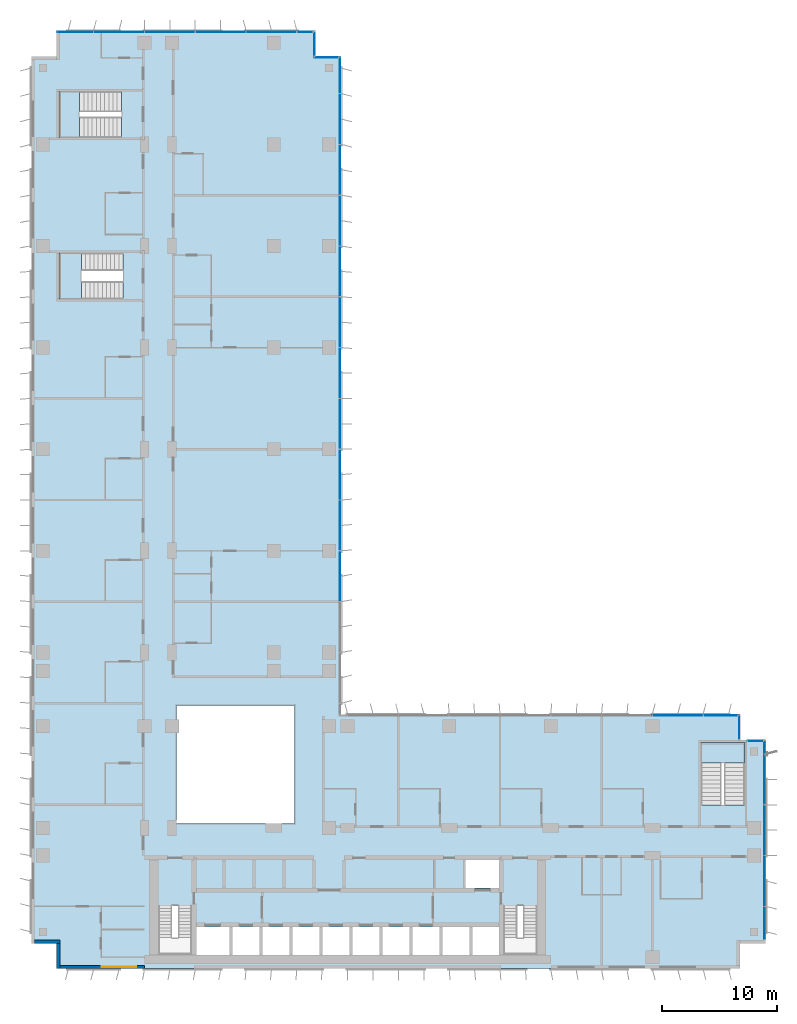
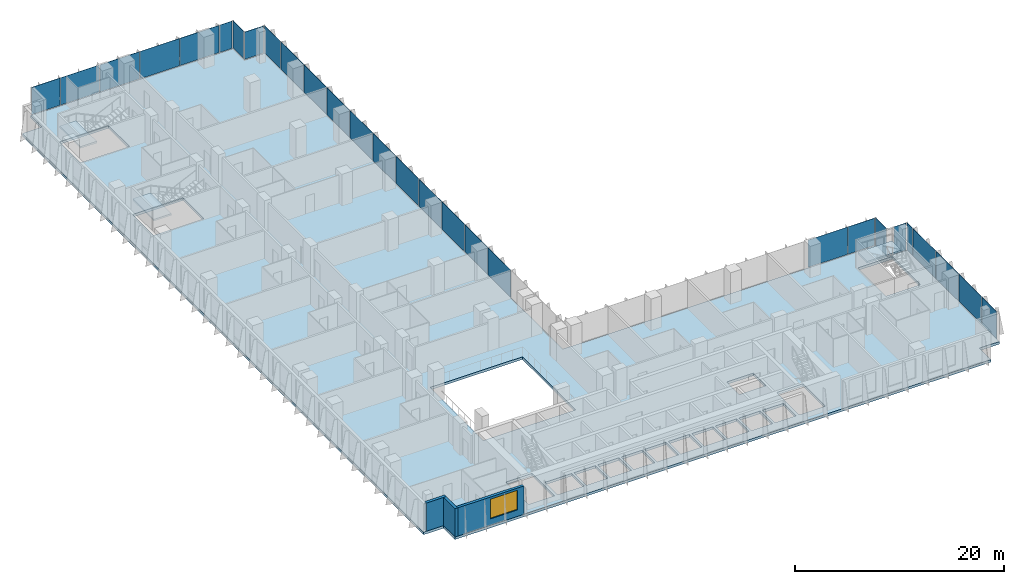
# One storey, part 11 of 22: 28 plates, 4 slabs, 3 walls, 1 window, 1 opening, 11 elements without a shape of their own.
"""IFC4 building model written with IfcOpenShell, lengths in metres."""

from ifc_helpers import new_model, si_unit, direction, frame, frame_2d, origin, origin_2d, place, context, subcontext, project, spatial, polyline, rectangle, outline, extrude, source, transform, mapped, material, layer, layer_set, type_object, element, fill, aggregate, save


model = new_model("IFC4")

# Units and contexts
model_context = context("Model", 3, precision=1e-05, world=origin(), true_north=direction((0.0, 1.0)))
body_context = subcontext(model_context, "Body", "Model", "MODEL_VIEW")
ifc_project = project(units=[si_unit("LENGTHUNIT", "METRE"), si_unit("AREAUNIT", "SQUARE_METRE"), si_unit("VOLUMEUNIT", "CUBIC_METRE"), si_unit("PLANEANGLEUNIT", "RADIAN"), si_unit("MASSUNIT", "GRAM", prefix="KILO")], contexts=[model_context])

# Site, building, storey
site_placement = place(None, origin())
site = spatial("IfcSite", under=ifc_project, at=site_placement, CompositionType="ELEMENT")
building_placement = place(site_placement, origin())
building = spatial("IfcBuilding", under=site, at=building_placement, Name="Kemantara Hotel Tower", CompositionType="ELEMENT")
storey_placement = place(building_placement, frame((0.0, 0.0, 98.199951171875)))
storey = spatial("IfcBuildingStorey", under=building, at=storey_placement, Name="L23", CompositionType="ELEMENT", Elevation=98.199951171875)

# Slab
ifc_material_1 = material(Name="Concrete fc 40 MPa", Category="concrete")
ifc_layer_1 = layer(ifc_material_1, 0.300048828125)
ifc_layer_set_1 = layer_set([ifc_layer_1], Name="Concrete fc 40 MPa")
slab_type_1 = type_object("IfcSlabType", Name="POST-TENSIONED FLAT PLATE 300", PredefinedType="FLOOR", material=ifc_layer_set_1)
slab_1_placement = place(storey_placement, frame((0.0, 0.0, -0.300048828125)))
element("IfcSlab", 1, at=slab_1_placement, inside=storey, type_object=slab_type_1, Name="FLOOR SLAB L23", PredefinedType="FLOOR", context=body_context, shape_type="SweptSolid", body=[
    extrude(outline(polyline([(26.800048828125, 79.0), (24.60009765625, 79.0), (24.60009765625, 81.199951171875), (2.199951171875, 81.199951171875), (2.199951171875, 79.0), (0.0, 79.0), (0.0, 2.199951171875), (2.199951171875, 2.199951171875), (2.199951171875, 0.0), (61.39990234375, 0.0), (61.39990234375, 2.199951171875), (63.60009765625, 2.199951171875), (63.60009765625, 19.800048828125), (61.39990234375, 19.800048828125), (61.39990234375, 22.0), (26.800048828125, 22.0), (26.800048828125, 79.0)]), holes=[polyline([(17.175048828125, 1.199951171875), (14.22509765625, 1.199951171875), (14.22509765625, 3.60009765625), (17.175048828125, 3.60009765625), (17.175048828125, 1.199951171875)]), polyline([(19.77490234375, 1.199951171875), (17.425048828125, 1.199951171875), (17.425048828125, 3.60009765625), (19.77490234375, 3.60009765625), (19.77490234375, 1.199951171875)]), polyline([(22.375, 1.199951171875), (20.02490234375, 1.199951171875), (20.02490234375, 3.60009765625), (22.375, 3.60009765625), (22.375, 1.199951171875)]), polyline([(24.97509765625, 1.199951171875), (22.625, 1.199951171875), (22.625, 3.60009765625), (24.97509765625, 3.60009765625), (24.97509765625, 1.199951171875)]), polyline([(27.574951171875, 1.199951171875), (25.22509765625, 1.199951171875), (25.22509765625, 3.60009765625), (27.574951171875, 3.60009765625), (27.574951171875, 1.199951171875)]), polyline([(11.0, 1.199951171875), (11.0, 5.49951171875), (13.89990234375, 5.49951171875), (13.89990234375, 1.199951171875), (11.0, 1.199951171875)]), polyline([(22.800048828125, 12.60009765625), (12.60009765625, 12.60009765625), (12.60009765625, 22.800048828125), (22.800048828125, 22.800048828125), (22.800048828125, 12.60009765625)]), polyline([(2.39990234375, 62.0), (7.949462890625, 62.0), (7.949462890625, 58.0), (2.39990234375, 58.0), (2.39990234375, 62.0)]), polyline([(2.39990234375, 76.0), (7.79931640625, 76.0), (7.79931640625, 72.0), (2.39990234375, 72.0), (2.39990234375, 76.0)]), polyline([(30.175048828125, 1.199951171875), (27.824951171875, 1.199951171875), (27.824951171875, 3.60009765625), (30.175048828125, 3.60009765625), (30.175048828125, 1.199951171875)]), polyline([(32.77490234375, 1.199951171875), (30.425048828125, 1.199951171875), (30.425048828125, 3.60009765625), (32.77490234375, 3.60009765625), (32.77490234375, 1.199951171875)]), polyline([(35.375, 1.199951171875), (33.02490234375, 1.199951171875), (33.02490234375, 3.60009765625), (35.375, 3.60009765625), (35.375, 1.199951171875)]), polyline([(37.97509765625, 1.199951171875), (35.625, 1.199951171875), (35.625, 3.60009765625), (37.97509765625, 3.60009765625), (37.97509765625, 1.199951171875)]), polyline([(40.574951171875, 1.199951171875), (38.22509765625, 1.199951171875), (38.22509765625, 3.60009765625), (40.574951171875, 3.60009765625), (40.574951171875, 1.199951171875)]), polyline([(40.89990234375, 1.199951171875), (40.89990234375, 5.49951171875), (43.800048828125, 5.49951171875), (43.800048828125, 1.199951171875), (40.89990234375, 1.199951171875)]), polyline([(37.625, 7.0), (37.625, 9.39990234375), (40.574951171875, 9.39990234375), (40.574951171875, 7.0), (37.625, 7.0)]), polyline([(61.800048828125, 14.20068359375), (58.0, 14.20068359375), (58.0, 19.60009765625), (61.800048828125, 19.60009765625), (61.800048828125, 14.20068359375)])]), origin(), (0.0, 0.0, 1.0), 0.300048828125),
])

# Stair, slab
stair_type_1 = type_object("IfcStairType", Name="Stair 1800 wide 22 risers of 168 x 360 mm", PredefinedType="HALF_TURN_STAIR", material=ifc_material_1)
stair_1_placement = place(storey_placement, origin())
stair_1 = element("IfcStair", 2, at=stair_1_placement, inside=storey, type_object=stair_type_1, Name="L23 Exit stair ST3", PredefinedType="HALF_TURN_STAIR")
ifc_layer_2 = layer(ifc_material_1, 0.199951171875)
ifc_layer_set_2 = layer_set([ifc_layer_2], Name="Concrete fc 40 MPa")
slab_type_2 = type_object("IfcSlabType", Name="Stair landing 200 mm", PredefinedType="LANDING", material=ifc_layer_set_2)
slab_2_placement = place(storey_placement, frame((0.0, 0.0, 1.650146484375)))
slab_2 = element("IfcSlab", 3, at=slab_2_placement, type_object=slab_type_2, Name="ST3 landing 1", PredefinedType="LANDING", context=body_context, shape_type="SweptSolid", body=[
    extrude(outline(polyline([(61.800048828125, 17.800048828125), (61.800048828125, 19.60009765625), (58.0, 19.60009765625), (58.0, 17.800048828125), (61.800048828125, 17.800048828125)])), origin(), (0.0, 0.0, 1.0), 0.199951171875),
])
aggregate(stair_1, [slab_2])

stair_type_2 = type_object("IfcStairType", Name="Stair 1550 wide 22 risers of 168 x 360 mm", PredefinedType="HALF_TURN_STAIR", material=ifc_material_1)
stair_2_placement = place(storey_placement, origin())
stair_2 = element("IfcStair", 4, at=stair_2_placement, inside=storey, type_object=stair_type_2, Name="L23 Exit stair ST4", PredefinedType="HALF_TURN_STAIR")
slab_3_placement = place(storey_placement, frame((0.0, 0.0, 1.650146484375)))
slab_3 = element("IfcSlab", 5, at=slab_3_placement, type_object=slab_type_2, Name="ST4 landing 1", PredefinedType="LANDING", context=body_context, shape_type="SweptSolid", body=[
    extrude(outline(polyline([(4.35009765625, 62.0), (2.39990234375, 62.0), (2.39990234375, 58.0), (4.35009765625, 58.0), (4.35009765625, 62.0)])), origin(), (0.0, 0.0, 1.0), 0.199951171875),
])
aggregate(stair_2, [slab_3])

stair_3_placement = place(storey_placement, origin())
stair_3 = element("IfcStair", 6, at=stair_3_placement, inside=storey, type_object=stair_type_1, Name="L23 Exit stair ST6", PredefinedType="HALF_TURN_STAIR")
slab_4_placement = place(storey_placement, frame((0.0, 0.0, 1.650146484375)))
slab_4 = element("IfcSlab", 7, at=slab_4_placement, type_object=slab_type_2, Name="ST6 landing 1", PredefinedType="LANDING", context=body_context, shape_type="SweptSolid", body=[
    extrude(outline(polyline([(4.199951171875, 76.0), (2.39990234375, 76.0), (2.39990234375, 72.0), (4.199951171875, 72.0), (4.199951171875, 76.0)])), origin(), (0.0, 0.0, 1.0), 0.199951171875),
])
aggregate(stair_3, [slab_4])

# Curtain wall, plates
ifc_material_2 = material(Name="Low-E tinted double insulated glass 36 mm", Category="glass")
curtain_wall_type = type_object("IfcCurtainWallType", Name="TOWER CURTAIN WALL, FRONT FACES", PredefinedType="USERDEFINED", material=ifc_material_2)
curtain_wall_1_placement = place(storey_placement, origin())
curtain_wall_1 = element("IfcCurtainWall", 8, at=curtain_wall_1_placement, inside=storey, type_object=curtain_wall_type, Name="CW4 L23 T2-R01-1", ObjectType="TOWER CURTAIN WALL, FRONT FACES", PredefinedType="USERDEFINED")
ifc_layer_3 = layer(ifc_material_2, 0.035888671875)
ifc_layer_set_3 = layer_set([ifc_layer_3], Name="Low-E tinted double insulated glass 36 mm")
plate_type = type_object("IfcPlateType", Name="TOWER CURTAIN WALL, FRONT FACES PANEL", PredefinedType="CURTAIN_PANEL", material=ifc_layer_set_3)
shared_shape_1 = source(origin(), body_context, "Body", "SweptSolid", [
    extrude(rectangle(XDim=1.360107421875, YDim=0.035888671875, at=origin_2d()), origin(), (0.0, 0.0, 1.0), 3.179931640625),
])
plate_1_placement = place(storey_placement, frame((23.7099609375, 81.125, 0.1201171875), z_axis=(0.0, 0.0, 1.0), x_axis=(-1.0, 0.0, 0.0)))
plate_1 = element("IfcPlate", 9, at=plate_1_placement, type_object=plate_type, Name="CW4 glass panel T2-R01-1.1", PredefinedType="CURTAIN_PANEL", context=body_context, shape_type="MappedRepresentation", body=[
    mapped(shared_shape_1, transform((0.0, 0.0, 0.0))),
])
shared_shape_2 = source(origin(), body_context, "Body", "SweptSolid", [
    extrude(rectangle(XDim=4.340087890625, YDim=0.035888671875, at=origin_2d()), origin(), (0.0, 0.0, 1.0), 3.179931640625),
])
plate_2_placement = place(storey_placement, frame((20.800048828125, 81.125, 0.1201171875), z_axis=(0.0, 0.0, 1.0), x_axis=(-1.0, 0.0, 0.0)))
plate_2 = element("IfcPlate", 10, at=plate_2_placement, type_object=plate_type, Name="CW4 glass panel T2-R01-1.2", PredefinedType="CURTAIN_PANEL", context=body_context, shape_type="MappedRepresentation", body=[
    mapped(shared_shape_2, transform((0.0, 0.0, 0.0))),
])
plate_3_placement = place(storey_placement, frame((16.39990234375, 81.125, 0.1201171875), z_axis=(0.0, 0.0, 1.0), x_axis=(-1.0, 0.0, 0.0)))
plate_3 = element("IfcPlate", 11, at=plate_3_placement, type_object=plate_type, Name="CW4 glass panel T2-R01-1.3", PredefinedType="CURTAIN_PANEL", context=body_context, shape_type="MappedRepresentation", body=[
    mapped(shared_shape_2, transform((0.0, 0.0, 0.0))),
])
plate_4_placement = place(storey_placement, frame((12.0, 81.125, 0.1201171875), z_axis=(0.0, 0.0, 1.0), x_axis=(-1.0, 0.0, 0.0)))
plate_4 = element("IfcPlate", 12, at=plate_4_placement, type_object=plate_type, Name="CW4 glass panel T2-R01-1.4", PredefinedType="CURTAIN_PANEL", context=body_context, shape_type="MappedRepresentation", body=[
    mapped(shared_shape_2, transform((0.0, 0.0, 0.0))),
])
plate_5_placement = place(storey_placement, frame((7.60009765625, 81.125, 0.1201171875), z_axis=(0.0, 0.0, 1.0), x_axis=(-1.0, 0.0, 0.0)))
plate_5 = element("IfcPlate", 13, at=plate_5_placement, type_object=plate_type, Name="CW4 glass panel T2-R01-1.5", PredefinedType="CURTAIN_PANEL", context=body_context, shape_type="MappedRepresentation", body=[
    mapped(shared_shape_2, transform((0.0, 0.0, 0.0))),
])

curtain_wall_2_placement = place(storey_placement, origin())
curtain_wall_2 = element("IfcCurtainWall", 14, at=curtain_wall_2_placement, inside=storey, type_object=curtain_wall_type, Name="CW4 L23 T2-R10-1", ObjectType="TOWER CURTAIN WALL, FRONT FACES", PredefinedType="USERDEFINED")
plate_6_placement = place(storey_placement, frame((63.52490234375, 7.60009765625, 0.1201171875), z_axis=(0.0, 0.0, 1.0), x_axis=(0.0, 1.0, 0.0)))
plate_6 = element("IfcPlate", 15, at=plate_6_placement, type_object=plate_type, Name="CW4 glass panel T2-R10-1.2", PredefinedType="CURTAIN_PANEL", context=body_context, shape_type="MappedRepresentation", body=[
    mapped(shared_shape_2, transform((0.0, 0.0, 0.0))),
])
plate_7_placement = place(storey_placement, frame((63.52490234375, 12.0, 0.1201171875), z_axis=(0.0, 0.0, 1.0), x_axis=(0.0, 1.0, 0.0)))
plate_7 = element("IfcPlate", 16, at=plate_7_placement, type_object=plate_type, Name="CW4 glass panel T2-R10-1.3", PredefinedType="CURTAIN_PANEL", context=body_context, shape_type="MappedRepresentation", body=[
    mapped(shared_shape_2, transform((0.0, 0.0, 0.0))),
])
plate_8_placement = place(storey_placement, frame((63.52490234375, 16.39990234375, 0.1201171875), z_axis=(0.0, 0.0, 1.0), x_axis=(0.0, 1.0, 0.0)))
plate_8 = element("IfcPlate", 17, at=plate_8_placement, type_object=plate_type, Name="CW4 glass panel T2-R10-1.4", PredefinedType="CURTAIN_PANEL", context=body_context, shape_type="MappedRepresentation", body=[
    mapped(shared_shape_2, transform((0.0, 0.0, 0.0))),
])

# Curtain wall, plate
curtain_wall_3_placement = place(storey_placement, origin())
curtain_wall_3 = element("IfcCurtainWall", 18, at=curtain_wall_3_placement, inside=storey, type_object=curtain_wall_type, Name="CW4 L23 T2-R13-1", ObjectType="TOWER CURTAIN WALL, FRONT FACES", PredefinedType="USERDEFINED")
plate_9_placement = place(storey_placement, frame((56.0, 21.925048828125, 0.1201171875), z_axis=(0.0, 0.0, 1.0), x_axis=(-1.0, 0.0, 0.0)))
plate_9 = element("IfcPlate", 19, at=plate_9_placement, type_object=plate_type, Name="CW4 glass panel T2-R13-1.2", PredefinedType="CURTAIN_PANEL", context=body_context, shape_type="MappedRepresentation", body=[
    mapped(shared_shape_2, transform((0.0, 0.0, 0.0))),
])

# Curtain wall, plates
curtain_wall_4_placement = place(storey_placement, origin())
curtain_wall_4 = element("IfcCurtainWall", 20, at=curtain_wall_4_placement, inside=storey, type_object=curtain_wall_type, Name="CW4 L23 T2-R14-1", ObjectType="TOWER CURTAIN WALL, FRONT FACES", PredefinedType="USERDEFINED")
plate_10_placement = place(storey_placement, frame((26.72509765625, 34.0, 0.1201171875), z_axis=(0.0, 0.0, 1.0), x_axis=(0.0, 1.0, 0.0)))
plate_10 = element("IfcPlate", 21, at=plate_10_placement, type_object=plate_type, Name="CW4 glass panel T2-R14-1.4", PredefinedType="CURTAIN_PANEL", context=body_context, shape_type="MappedRepresentation", body=[
    mapped(shared_shape_2, transform((0.0, 0.0, 0.0))),
])
plate_11_placement = place(storey_placement, frame((26.72509765625, 38.39990234375, 0.1201171875), z_axis=(0.0, 0.0, 1.0), x_axis=(0.0, 1.0, 0.0)))
plate_11 = element("IfcPlate", 22, at=plate_11_placement, type_object=plate_type, Name="CW4 glass panel T2-R14-1.5", PredefinedType="CURTAIN_PANEL", context=body_context, shape_type="MappedRepresentation", body=[
    mapped(shared_shape_2, transform((0.0, 0.0, 0.0))),
])
plate_12_placement = place(storey_placement, frame((26.72509765625, 42.800048828125, 0.1201171875), z_axis=(0.0, 0.0, 1.0), x_axis=(0.0, 1.0, 0.0)))
plate_12 = element("IfcPlate", 23, at=plate_12_placement, type_object=plate_type, Name="CW4 glass panel T2-R14-1.6", PredefinedType="CURTAIN_PANEL", context=body_context, shape_type="MappedRepresentation", body=[
    mapped(shared_shape_2, transform((0.0, 0.0, 0.0))),
])
plate_13_placement = place(storey_placement, frame((26.72509765625, 47.199951171875, 0.1201171875), z_axis=(0.0, 0.0, 1.0), x_axis=(0.0, 1.0, 0.0)))
plate_13 = element("IfcPlate", 24, at=plate_13_placement, type_object=plate_type, Name="CW4 glass panel T2-R14-1.7", PredefinedType="CURTAIN_PANEL", context=body_context, shape_type="MappedRepresentation", body=[
    mapped(shared_shape_2, transform((0.0, 0.0, 0.0))),
])
plate_14_placement = place(storey_placement, frame((26.72509765625, 51.60009765625, 0.1201171875), z_axis=(0.0, 0.0, 1.0), x_axis=(0.0, 1.0, 0.0)))
plate_14 = element("IfcPlate", 25, at=plate_14_placement, type_object=plate_type, Name="CW4 glass panel T2-R14-1.8", PredefinedType="CURTAIN_PANEL", context=body_context, shape_type="MappedRepresentation", body=[
    mapped(shared_shape_2, transform((0.0, 0.0, 0.0))),
])
plate_15_placement = place(storey_placement, frame((26.72509765625, 56.0, 0.1201171875), z_axis=(0.0, 0.0, 1.0), x_axis=(0.0, 1.0, 0.0)))
plate_15 = element("IfcPlate", 26, at=plate_15_placement, type_object=plate_type, Name="CW4 glass panel T2-R14-1.9", PredefinedType="CURTAIN_PANEL", context=body_context, shape_type="MappedRepresentation", body=[
    mapped(shared_shape_2, transform((0.0, 0.0, 0.0))),
])
plate_16_placement = place(storey_placement, frame((26.72509765625, 60.39990234375, 0.1201171875), z_axis=(0.0, 0.0, 1.0), x_axis=(0.0, 1.0, 0.0)))
plate_16 = element("IfcPlate", 27, at=plate_16_placement, type_object=plate_type, Name="CW4 glass panel T2-R14-1.10", PredefinedType="CURTAIN_PANEL", context=body_context, shape_type="MappedRepresentation", body=[
    mapped(shared_shape_2, transform((0.0, 0.0, 0.0))),
])
plate_17_placement = place(storey_placement, frame((26.72509765625, 64.800048828125, 0.1201171875), z_axis=(0.0, 0.0, 1.0), x_axis=(0.0, 1.0, 0.0)))
plate_17 = element("IfcPlate", 28, at=plate_17_placement, type_object=plate_type, Name="CW4 glass panel T2-R14-1.11", PredefinedType="CURTAIN_PANEL", context=body_context, shape_type="MappedRepresentation", body=[
    mapped(shared_shape_2, transform((0.0, 0.0, 0.0))),
])
plate_18_placement = place(storey_placement, frame((26.72509765625, 69.199951171875, 0.1201171875), z_axis=(0.0, 0.0, 1.0), x_axis=(0.0, 1.0, 0.0)))
plate_18 = element("IfcPlate", 29, at=plate_18_placement, type_object=plate_type, Name="CW4 glass panel T2-R14-1.12", PredefinedType="CURTAIN_PANEL", context=body_context, shape_type="MappedRepresentation", body=[
    mapped(shared_shape_2, transform((0.0, 0.0, 0.0))),
])
plate_19_placement = place(storey_placement, frame((26.72509765625, 73.60009765625, 0.1201171875), z_axis=(0.0, 0.0, 1.0), x_axis=(0.0, 1.0, 0.0)))
plate_19 = element("IfcPlate", 30, at=plate_19_placement, type_object=plate_type, Name="CW4 glass panel T2-R14-1.13", PredefinedType="CURTAIN_PANEL", context=body_context, shape_type="MappedRepresentation", body=[
    mapped(shared_shape_2, transform((0.0, 0.0, 0.0))),
])

# Plate
shared_shape_3 = source(origin(), body_context, "Body", "SweptSolid", [
    extrude(rectangle(XDim=3.110107421875, YDim=0.035888671875, at=origin_2d()), origin(), (0.0, 0.0, 1.0), 3.179931640625),
])
plate_20_placement = place(storey_placement, frame((3.81494140625, 81.125, 0.1201171875), z_axis=(0.0, 0.0, 1.0), x_axis=(-1.0, 0.0, 0.0)))
plate_20 = element("IfcPlate", 31, at=plate_20_placement, type_object=plate_type, Name="CW4 glass panel T2-R01-1.6", PredefinedType="CURTAIN_PANEL", context=body_context, shape_type="MappedRepresentation", body=[
    mapped(shared_shape_3, transform((0.0, 0.0, 0.0))),
])

aggregate(curtain_wall_1, [plate_1, plate_2, plate_3, plate_4, plate_5, plate_20])

plate_21_placement = place(storey_placement, frame((26.72509765625, 77.385009765625, 0.1201171875), z_axis=(0.0, 0.0, 1.0), x_axis=(0.0, 1.0, 0.0)))
plate_21 = element("IfcPlate", 32, at=plate_21_placement, type_object=plate_type, Name="CW4 glass panel T2-R14-1.14", PredefinedType="CURTAIN_PANEL", context=body_context, shape_type="MappedRepresentation", body=[
    mapped(shared_shape_3, transform((0.0, 0.0, 0.0))),
])

aggregate(curtain_wall_4, [plate_10, plate_11, plate_12, plate_13, plate_14, plate_15, plate_16, plate_17, plate_18, plate_19, plate_21])

shared_shape_4 = source(origin(), body_context, "Body", "SweptSolid", [
    extrude(rectangle(XDim=2.81005859375, YDim=0.035888671875, at=origin_2d()), origin(), (0.0, 0.0, 1.0), 3.179931640625),
])
plate_22_placement = place(storey_placement, frame((63.52490234375, 3.965087890625, 0.1201171875), z_axis=(0.0, 0.0, 1.0), x_axis=(0.0, 1.0, 0.0)))
plate_22 = element("IfcPlate", 33, at=plate_22_placement, type_object=plate_type, Name="CW4 glass panel T2-R10-1.1", PredefinedType="CURTAIN_PANEL", context=body_context, shape_type="MappedRepresentation", body=[
    mapped(shared_shape_4, transform((0.0, 0.0, 0.0))),
])

shared_shape_5 = source(origin(), body_context, "Body", "SweptSolid", [
    extrude(rectangle(XDim=1.110107421875, YDim=0.035888671875, at=origin_2d()), origin(), (0.0, 0.0, 1.0), 3.179931640625),
])
plate_23_placement = place(storey_placement, frame((63.52490234375, 19.18505859375, 0.1201171875), z_axis=(0.0, 0.0, 1.0), x_axis=(0.0, 1.0, 0.0)))
plate_23 = element("IfcPlate", 34, at=plate_23_placement, type_object=plate_type, Name="CW4 glass panel T2-R10-1.5", PredefinedType="CURTAIN_PANEL", context=body_context, shape_type="MappedRepresentation", body=[
    mapped(shared_shape_5, transform((0.0, 0.0, 0.0))),
])

aggregate(curtain_wall_2, [plate_22, plate_6, plate_7, plate_8, plate_23])

shared_shape_6 = source(origin(), body_context, "Body", "SweptSolid", [
    extrude(rectangle(XDim=2.9599609375, YDim=0.035888671875, at=origin_2d()), origin(), (0.0, 0.0, 1.0), 3.179931640625),
])
plate_24_placement = place(storey_placement, frame((59.7099609375, 21.925048828125, 0.1201171875), z_axis=(0.0, 0.0, 1.0), x_axis=(-1.0, 0.0, 0.0)))
plate_24 = element("IfcPlate", 35, at=plate_24_placement, type_object=plate_type, Name="CW4 glass panel T2-R13-1.1", PredefinedType="CURTAIN_PANEL", context=body_context, shape_type="MappedRepresentation", body=[
    mapped(shared_shape_6, transform((0.0, 0.0, 0.0))),
])

aggregate(curtain_wall_3, [plate_24, plate_9])

# Curtain wall, plate
curtain_wall_5_placement = place(storey_placement, origin())
curtain_wall_5 = element("IfcCurtainWall", 36, at=curtain_wall_5_placement, inside=storey, type_object=curtain_wall_type, Name="CW4 L23 T2-R00-1", ObjectType="TOWER CURTAIN WALL, FRONT FACES", PredefinedType="USERDEFINED")
shared_shape_7 = source(origin(), body_context, "Body", "SweptSolid", [
    extrude(rectangle(XDim=2.080078125, YDim=0.035888671875, at=origin_2d()), origin(), (0.0, 0.0, 1.0), 3.179931640625),
])
plate_25_placement = place(storey_placement, frame((24.52490234375, 80.10009765625, 0.1201171875), z_axis=(0.0, 0.0, 1.0), x_axis=(0.0, 1.0, 0.0)))
plate_25 = element("IfcPlate", 37, at=plate_25_placement, type_object=plate_type, Name="CW4 glass panel T2-R00-1.1", PredefinedType="CURTAIN_PANEL", context=body_context, shape_type="MappedRepresentation", body=[
    mapped(shared_shape_7, transform((0.0, 0.0, 0.0))),
])
aggregate(curtain_wall_5, [plate_25])

curtain_wall_6_placement = place(storey_placement, origin())
curtain_wall_6 = element("IfcCurtainWall", 38, at=curtain_wall_6_placement, inside=storey, type_object=curtain_wall_type, Name="CW4 L23 T2-R12-1", ObjectType="TOWER CURTAIN WALL, FRONT FACES", PredefinedType="USERDEFINED")
plate_26_placement = place(storey_placement, frame((61.324951171875, 20.89990234375, 0.1201171875), z_axis=(0.0, 0.0, 1.0), x_axis=(0.0, 1.0, 0.0)))
plate_26 = element("IfcPlate", 39, at=plate_26_placement, type_object=plate_type, Name="CW4 glass panel T2-R12-1.1", PredefinedType="CURTAIN_PANEL", context=body_context, shape_type="MappedRepresentation", body=[
    mapped(shared_shape_7, transform((0.0, 0.0, 0.0))),
])
aggregate(curtain_wall_6, [plate_26])

curtain_wall_7_placement = place(storey_placement, origin())
curtain_wall_7 = element("IfcCurtainWall", 40, at=curtain_wall_7_placement, inside=storey, type_object=curtain_wall_type, Name="CW4 L23 T2-R15-1", ObjectType="TOWER CURTAIN WALL, FRONT FACES", PredefinedType="USERDEFINED")
plate_27_placement = place(storey_placement, frame((25.550048828125, 78.925048828125, 0.1201171875), z_axis=(0.0, 0.0, 1.0), x_axis=(-1.0, 0.0, 0.0)))
plate_27 = element("IfcPlate", 41, at=plate_27_placement, type_object=plate_type, Name="CW4 glass panel T2-R15-1.1", PredefinedType="CURTAIN_PANEL", context=body_context, shape_type="MappedRepresentation", body=[
    mapped(shared_shape_7, transform((0.0, 0.0, 0.0))),
])
aggregate(curtain_wall_7, [plate_27])

curtain_wall_8_placement = place(storey_placement, origin())
curtain_wall_8 = element("IfcCurtainWall", 42, at=curtain_wall_8_placement, inside=storey, type_object=curtain_wall_type, Name="CW4 L23 T2-R11-1", ObjectType="TOWER CURTAIN WALL, FRONT FACES", PredefinedType="USERDEFINED")
shared_shape_8 = source(origin(), body_context, "Body", "SweptSolid", [
    extrude(rectangle(XDim=1.330078125, YDim=0.035888671875, at=origin_2d()), origin(), (0.0, 0.0, 1.0), 3.179931640625),
])
plate_28_placement = place(storey_placement, frame((62.72509765625, 19.72509765625, 0.1201171875), z_axis=(0.0, 0.0, 1.0), x_axis=(-1.0, 0.0, 0.0)))
plate_28 = element("IfcPlate", 43, at=plate_28_placement, type_object=plate_type, Name="CW4 glass panel T2-R11-1.1", PredefinedType="CURTAIN_PANEL", context=body_context, shape_type="MappedRepresentation", body=[
    mapped(shared_shape_8, transform((0.0, 0.0, 0.0))),
])
aggregate(curtain_wall_8, [plate_28])

# Walls
ifc_material_3 = material(Name="Bronze anodised aluminium cladding on insulated steel stud wall", Category="steel")
ifc_layer_4 = layer(ifc_material_3, 0.300048828125)
ifc_layer_set_4 = layer_set([ifc_layer_4], Name="Bronze anodised aluminium cladding on insulated steel stud wall")
wall_type = type_object("IfcWallType", Name="BRONZE METAL-CLAD EXTERNAL WALL 300", PredefinedType="STANDARD", material=ifc_layer_set_4)
for number, where, z_axis, x_axis, name in (
    (44, (0.300048828125, 2.35009765625, 0.0), (0.0, 0.0, 1.0), (1.0, 0.0, 0.0), "EXTERNAL WALL L23 T2-R05"),
    (45, (2.35009765625, 2.199951171875, 0.0), (0.0, 0.0, 1.0), (0.0, -1.0, 0.0), "EXTERNAL WALL L23 T2-R06"),
):
    element("IfcWall", number, at=place(storey_placement, frame(where, z_axis=z_axis, x_axis=x_axis)), inside=storey, type_object=wall_type, Name=name, PredefinedType="STANDARD", context=body_context, shape_type="SweptSolid", body=[
        extrude(rectangle(XDim=2.199951171875, YDim=0.300048828125, at=frame_2d((1.10009765625, 0.0))), origin(), (0.0, 0.0, 1.0), 3.300048828125),
    ])

# Wall, opening, window
wall_placement = place(storey_placement, frame((2.5, 0.14990234375, 0.0), z_axis=(0.0, 0.0, 1.0), x_axis=(1.0, 0.0, 0.0)))
wall = element("IfcWall", 46, at=wall_placement, inside=storey, type_object=wall_type, Name="EXTERNAL WALL L23 T2-R07", PredefinedType="STANDARD", context=body_context, shape_type="SweptSolid", body=[
    extrude(rectangle(XDim=7.300048828125, YDim=0.300048828125, at=frame_2d((3.64990234375, 0.0))), origin(), (0.0, 0.0, 1.0), 3.300048828125),
])
opening_placement = place(wall_placement, frame((3.60009765625, 0.0, 0.75)))
opening = element("IfcOpeningElement", 47, at=opening_placement, cuts=wall, Name="Opening W1", PredefinedType="OPENING", context=body_context, shape_type="SweptSolid", body=[
    extrude(rectangle(XDim=3.0, YDim=2.300048828125, at=frame_2d((1.5, 1.14990234375))), frame((0.0, 0.159912109375, 0.0), z_axis=(0.0, -1.0, 0.0), x_axis=(1.0, 0.0, 0.0)), (0.0, 0.0, 1.0), 0.320068359375),
])
ifc_material_4 = material(Name="Low-E tinted double insulated glass in bronze anodised aluminium frame", Category="aluminium")
window_type = type_object("IfcWindowType", Name="CHICAGO WINDOW, TRIPLE PANEL 3000x2300", PartitioningType="TRIPLE_PANEL_VERTICAL", PredefinedType="WINDOW", material=ifc_material_4)
window_placement = place(opening_placement, origin())
window = element("IfcWindow", 48, at=window_placement, inside=storey, type_object=window_type, Name="CHICAGO WINDOW L23 T2-R07-54", OverallHeight=2.300048828125, OverallWidth=3.0, PartitioningType="SINGLE_PANEL", PredefinedType="WINDOW", context=body_context, shape_type="SweptSolid", body=[
    extrude(rectangle(XDim=3.0, YDim=2.300048828125, at=frame_2d((1.5, 1.14990234375))), frame((0.0, 0.030029296875, 0.0), z_axis=(0.0, -1.0, 0.0), x_axis=(1.0, 0.0, 0.0)), (0.0, 0.0, 1.0), 0.06005859375),
])
fill(opening, window)

save(model, "model.ifc")
